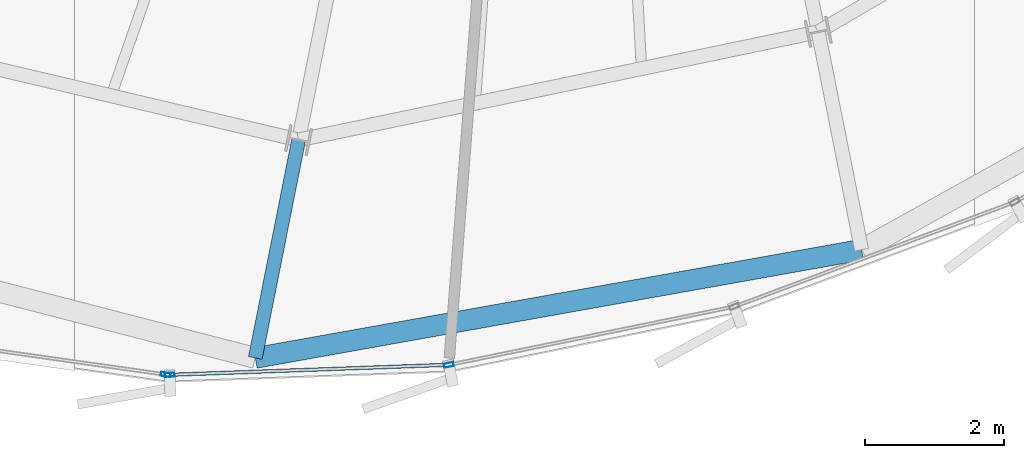
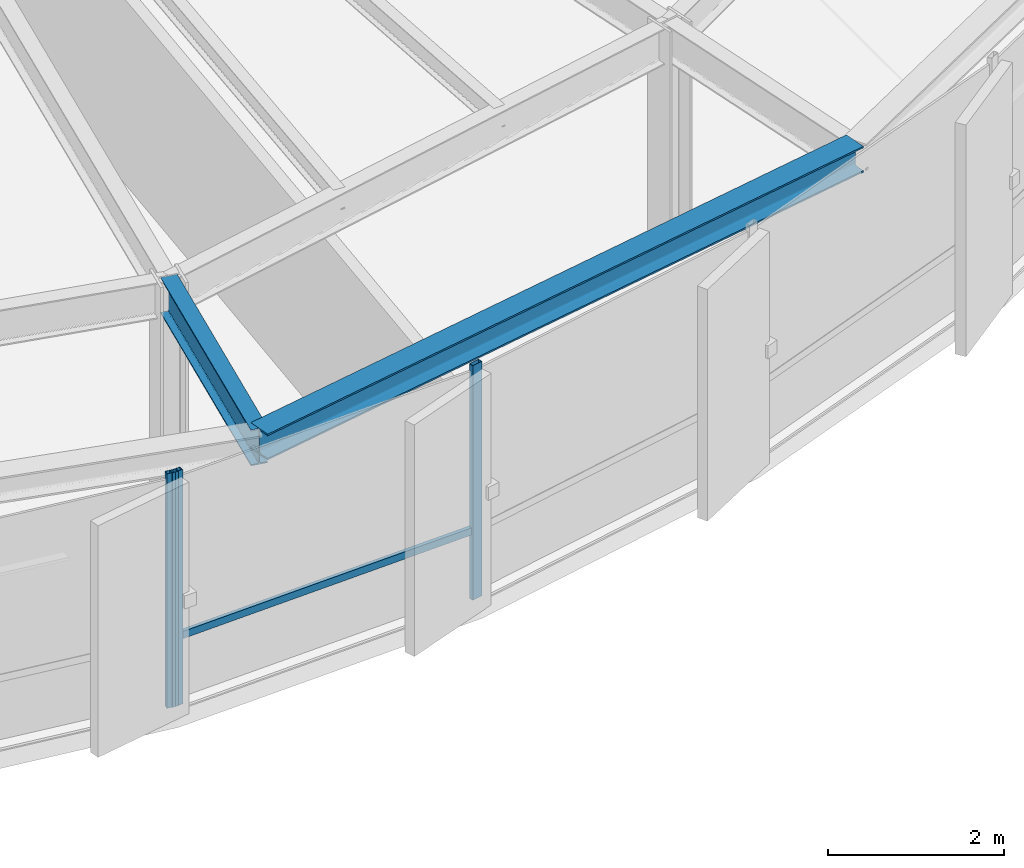
# One storey, part 6 of 37: 4 members, 2 beams, 2 elements without a shape of their own.
"""IFC4 building model written with IfcOpenShell, lengths in metres."""

from ifc_helpers import new_model, si_unit, direction, frame, origin, origin_2d, place, context, subcontext, project, spatial, hollow_rectangle, i_section, extrude, source, transform, mapped, material, layer, layer_set, material_profile, profile_set, type_object, element, aggregate, save


model = new_model("IFC4")

# Units and contexts
model_context = context("Model", 3, precision=1e-05, world=origin(), true_north=direction((0.0, 1.0)))
body_context = subcontext(model_context, "Body", "Model", "MODEL_VIEW")
ifc_project = project(units=[si_unit("LENGTHUNIT", "METRE"), si_unit("AREAUNIT", "SQUARE_METRE"), si_unit("VOLUMEUNIT", "CUBIC_METRE"), si_unit("PLANEANGLEUNIT", "RADIAN"), si_unit("MASSUNIT", "GRAM", prefix="KILO"), si_unit("THERMODYNAMICTEMPERATUREUNIT", "KELVIN")], contexts=[model_context])

# Site, building, storey
site_placement = place(None, origin())
site = spatial("IfcSite", under=ifc_project, at=site_placement, CompositionType="ELEMENT")
building_placement = place(site_placement, origin())
building = spatial("IfcBuilding", under=site, at=building_placement, Name="Kethvar Cultural Tower", CompositionType="ELEMENT")
storey_placement = place(building_placement, frame((0.0, 0.0, 200.89990234375)))
storey = spatial("IfcBuildingStorey", under=building, at=storey_placement, Name="L52", CompositionType="ELEMENT", Elevation=200.89990234375)

# Beams
ifc_material_1 = material(Name="Steel S355J2", Category="steel")
ifc_material_profile_1 = material_profile(ifc_material_1, i_section(OverallWidth=0.199951171875, OverallDepth=0.5, WebThickness=0.01025390625, FlangeThickness=0.01611328125, FilletRadius=0.02099609375, at=origin_2d()), Name="Steel S355J2 — IPE500")
ifc_profile_set_1 = profile_set([ifc_material_profile_1], Name="Steel S355J2 — IPE500")
beam_type_1 = type_object("IfcBeamType", Name="BM-IPE500", PredefinedType="BEAM", material=ifc_profile_set_1)
shared_shape_1 = source(origin(), body_context, "Body", "SweptSolid", [
    extrude(i_section(OverallWidth=0.199951171875, OverallDepth=0.5, WebThickness=0.01025390625, FlangeThickness=0.01611328125, FilletRadius=0.02099609375, at=origin_2d()), origin(), (0.0, 0.0, 1.0), 3.199951171875),
])
beam_1_placement = place(storey_placement, frame((42.903564453125, 8.2109375, 3.008056640625), z_axis=(-0.195088965533, -0.980785550224, 0.0), x_axis=(0.980785550224, -0.195088965533, 0.0)))
element("IfcBeam", 1, at=beam_1_placement, inside=storey, type_object=beam_type_1, Name="L52 Perimeter Cantilever Beam RC-12", PredefinedType="BEAM", context=body_context, shape_type="MappedRepresentation", body=[
    mapped(shared_shape_1, transform((0.0, 0.0, 0.0), scale=1.0)),
])
ifc_material_profile_2 = material_profile(ifc_material_1, i_section(OverallWidth=0.300048828125, OverallDepth=0.360107421875, WebThickness=0.012451171875, FlangeThickness=0.0224609375, FilletRadius=0.027099609375, at=origin_2d()), Name="Steel S355J2 — HEB360")
ifc_profile_set_2 = profile_set([ifc_material_profile_2], Name="Steel S355J2 — HEB360")
beam_type_2 = type_object("IfcBeamType", Name="BM-SP360", PredefinedType="SPANDREL", material=ifc_profile_set_2)
shared_shape_2 = source(origin(), body_context, "Body", "SweptSolid", [
    extrude(i_section(OverallWidth=0.300048828125, OverallDepth=0.360107421875, WebThickness=0.012451171875, FlangeThickness=0.0224609375, FilletRadius=0.027099609375, at=origin_2d()), origin(), (0.0, 0.0, 1.0), 8.86962890625),
])
beam_2_placement = place(storey_placement, frame((42.279296875, 5.072509765625, 3.078125), z_axis=(0.984459032332, 0.175614389103, 0.0), x_axis=(-0.175614389103, 0.984459032332, 0.0)))
element("IfcBeam", 2, at=beam_2_placement, inside=storey, type_object=beam_type_2, Name="L52 Perimeter Spandrel Beam SP-12", PredefinedType="SPANDREL", context=body_context, shape_type="MappedRepresentation", body=[
    mapped(shared_shape_2, transform((0.0, 0.0, 0.0), scale=1.0)),
])

# Curtain wall, member
ifc_material_2 = material(Name="Aluminium 6063-T6", Category="aluminium")
ifc_layer = layer(ifc_material_2, 0.179931640625, Name="Aluminium 6063-T6", Category="aluminium")
ifc_layer_set = layer_set([ifc_layer], Name="Aluminium 6063-T6 (180 mm)")
curtain_wall_type = type_object("IfcCurtainWallType", Name="CW-SYS-04-Z34", PredefinedType="NOTDEFINED", material=ifc_layer_set)
curtain_wall_1_placement = place(storey_placement, origin())
curtain_wall_1 = element("IfcCurtainWall", 3, at=curtain_wall_1_placement, inside=storey, type_object=curtain_wall_type, Name="L52 Curtain Wall Run 04", PredefinedType="NOTDEFINED")
ifc_material_profile_3 = material_profile(ifc_material_2, hollow_rectangle(XDim=0.06005859375, YDim=0.139892578125, WallThickness=0.0048828125, at=origin_2d()), Name="Aluminium 6063-T6 — RHS140x60x5")
ifc_profile_set_3 = profile_set([ifc_material_profile_3], Name="Aluminium 6063-T6 — RHS140x60x5")
member_type_1 = type_object("IfcMemberType", Name="CW-SYS-04-Z34-MUL", PredefinedType="MULLION", material=ifc_profile_set_3)
shared_shape_3 = source(origin(), body_context, "Body", "SweptSolid", [
    extrude(hollow_rectangle(XDim=0.06005859375, YDim=0.139892578125, WallThickness=0.0048828125, at=origin_2d()), origin(), (0.0, 0.0, 1.0), 3.260009765625),
])
member_1_placement = place(storey_placement, frame((40.989013671875, 4.832275390625, 0.0), z_axis=(0.0, 0.0, 1.0), x_axis=(0.140866673507, 0.990028575494, 0.0)))
member_1 = element("IfcMember", 4, at=member_1_placement, type_object=member_type_1, Name="CW-L52-R04 Mullion 7", PredefinedType="MULLION", context=body_context, shape_type="MappedRepresentation", body=[
    mapped(shared_shape_3, transform((0.0, 0.0, 0.0), scale=1.0)),
])
aggregate(curtain_wall_1, [member_1])

# Curtain wall, members
curtain_wall_2_placement = place(storey_placement, origin())
curtain_wall_2 = element("IfcCurtainWall", 5, at=curtain_wall_2_placement, inside=storey, type_object=curtain_wall_type, Name="L52 Curtain Wall Run 05", PredefinedType="NOTDEFINED")
member_2_placement = place(storey_placement, frame((41.047119140625, 4.8291015625, 0.0), z_axis=(0.0, 0.0, 1.0), x_axis=(-0.0358588268, 0.999356865459, 0.0)))
member_2 = element("IfcMember", 6, at=member_2_placement, type_object=member_type_1, Name="CW-L52-R05 Mullion 1", PredefinedType="MULLION", context=body_context, shape_type="MappedRepresentation", body=[
    mapped(shared_shape_3, transform((0.0, 0.0, 0.0), scale=1.0)),
])
member_3_placement = place(storey_placement, frame((45.066650390625, 4.971923828125, 0.0), z_axis=(0.0, 0.0, 1.0), x_axis=(-0.200137503911, 0.979767819194, 0.0)))
member_3 = element("IfcMember", 7, at=member_3_placement, type_object=member_type_1, Name="CW-L52-R05 Mullion 2", PredefinedType="MULLION", context=body_context, shape_type="MappedRepresentation", body=[
    mapped(shared_shape_3, transform((0.0, 0.0, 0.0), scale=1.0)),
])
ifc_material_profile_4 = material_profile(ifc_material_2, hollow_rectangle(XDim=0.050048828125, YDim=0.10009765625, WallThickness=0.00390625, at=origin_2d()), Name="Aluminium 6063-T6 — RHS100x50x4")
ifc_profile_set_4 = profile_set([ifc_material_profile_4], Name="Aluminium 6063-T6 — RHS100x50x4")
member_type_2 = type_object("IfcMemberType", Name="CW-SYS-04-Z34-TRN", PredefinedType="USERDEFINED", material=ifc_profile_set_4)
shared_shape_4 = source(origin(), body_context, "Body", "SweptSolid", [
    extrude(hollow_rectangle(XDim=0.050048828125, YDim=0.10009765625, WallThickness=0.00390625, at=origin_2d()), origin(), (0.0, 0.0, 1.0), 3.992919921875),
])
member_4_placement = place(storey_placement, frame((41.05126953125, 4.829345703125, 0.9501953125), z_axis=(0.999355668154, 0.035892179222, 0.0), x_axis=(-0.035892179222, 0.999355668154, 0.0)))
member_4 = element("IfcMember", 8, at=member_4_placement, type_object=member_type_2, Name="CW-L52-R05 Transom 1", ObjectType="TRANSOM", PredefinedType="USERDEFINED", context=body_context, shape_type="MappedRepresentation", body=[
    mapped(shared_shape_4, transform((0.0, 0.0, 0.0), scale=1.0)),
])
aggregate(curtain_wall_2, [member_2, member_3, member_4])

save(model, "model.ifc")
